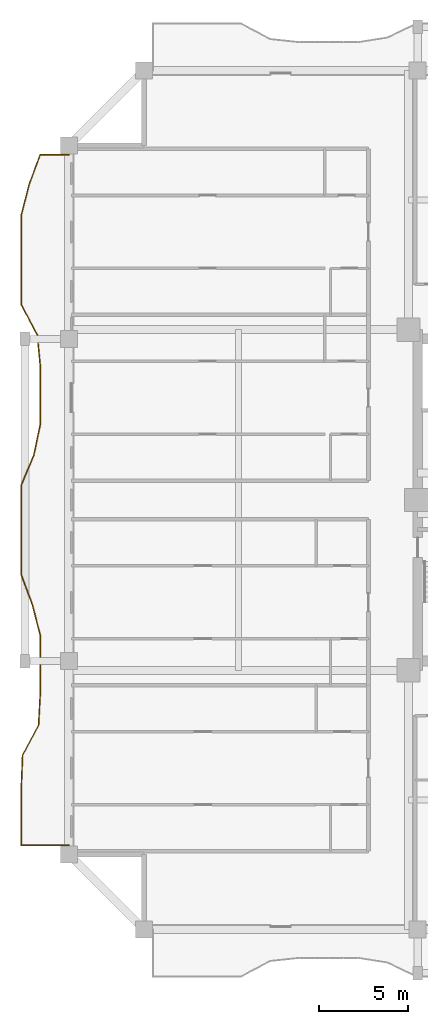
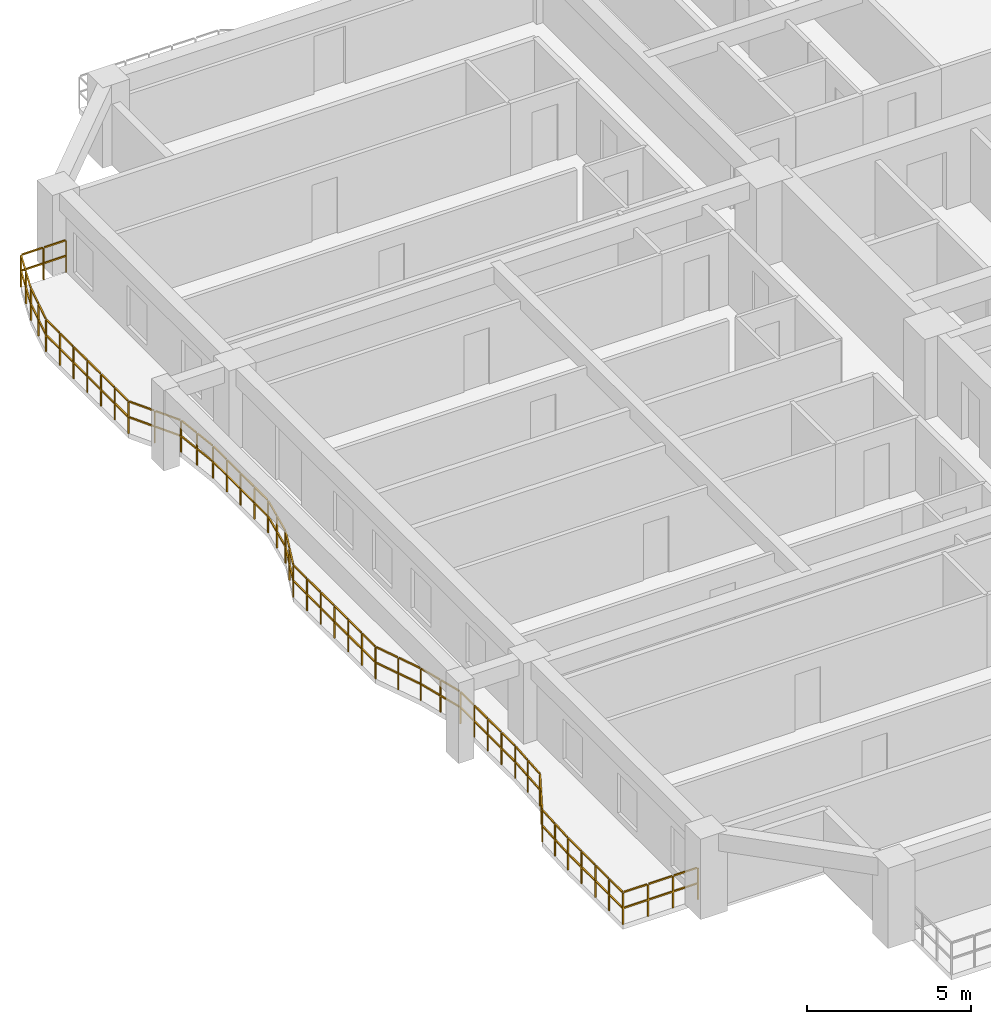
# One storey, part 8 of 11: 1 railing.
"""IFC4 building model written with IfcOpenShell, lengths in metres."""

from ifc_helpers import new_model, si_unit, direction, frame, origin, origin_2d, place, context, subcontext, project, spatial, rectangle, extrude, material, type_object, element, save


model = new_model("IFC4")

# Units and contexts
model_context = context("Model", 3, precision=1e-05, world=origin(), true_north=direction((0.0, 1.0)))
body_context = subcontext(model_context, "Body", "Model", "MODEL_VIEW")
ifc_project = project(units=[si_unit("LENGTHUNIT", "METRE"), si_unit("AREAUNIT", "SQUARE_METRE"), si_unit("VOLUMEUNIT", "CUBIC_METRE"), si_unit("PLANEANGLEUNIT", "RADIAN"), si_unit("MASSUNIT", "GRAM", prefix="KILO")], contexts=[model_context])

# Site, building, storey
site_placement = place(None, origin())
site = spatial("IfcSite", under=ifc_project, at=site_placement, CompositionType="ELEMENT")
building_placement = place(site_placement, origin())
building = spatial("IfcBuilding", under=site, at=building_placement, Name="Saelheon Loggia Tower", CompositionType="ELEMENT")
storey_placement = place(building_placement, frame((0.0, 0.0, 141.75)))
storey = spatial("IfcBuildingStorey", under=building, at=storey_placement, Name="L45", CompositionType="ELEMENT", Elevation=141.75)

# Railing
ifc_material = material(Name="Architectural Precast Concrete and Laminated Glass Guard", Category="concrete")
railing_type = type_object("IfcRailingType", Name="Guard_Loggia_RL_LOG", PredefinedType="BALUSTRADE", material=ifc_material)
railing_placement = place(storey_placement, frame((12.0, 46.300048828125, 0.0)))
element("IfcRailing", 1, at=railing_placement, inside=storey, type_object=railing_type, Name="L45 West Loggia Balustrade", PredefinedType="BALUSTRADE", context=body_context, shape_type="SweptSolid", body=[
    extrude(rectangle(XDim=0.048095703125, YDim=0.048095703125, at=origin_2d()), frame((-0.033203125, 0.0, 1.19580078125), z_axis=(-1.0, 0.0, 0.0), x_axis=(0.0, -1.0, 0.0)), (0.0, 0.0, 1.0), 0.733642578125),
    extrude(rectangle(XDim=0.048095703125, YDim=0.048095703125, at=origin_2d()), frame((-0.033203125, 0.0, 0.60986328125), z_axis=(-1.0, 0.0, 0.0), x_axis=(0.0, -1.0, 0.0)), (0.0, 0.0, 1.0), 0.733642578125),
    extrude(rectangle(XDim=0.048095703125, YDim=0.048095703125, at=origin_2d()), frame((-0.833251953125, 0.0, 1.19580078125), z_axis=(-1.0, 0.0, 0.0), x_axis=(0.0, -1.0, 0.0)), (0.0, 0.0, 1.0), 0.733642578125),
    extrude(rectangle(XDim=0.048095703125, YDim=0.048095703125, at=origin_2d()), frame((-0.833251953125, 0.0, 0.60986328125), z_axis=(-1.0, 0.0, 0.0), x_axis=(0.0, -1.0, 0.0)), (0.0, 0.0, 1.0), 0.733642578125),
    extrude(rectangle(XDim=0.048095703125, YDim=0.048095703125, at=origin_2d()), frame((-1.611572265625, -0.03125, 1.19580078125), z_axis=(-0.346318659518, -0.938116936245, 0.0), x_axis=(0.938116936245, -0.346318659518, 0.0)), (0.0, 0.0, 1.0), 0.828125),
    extrude(rectangle(XDim=0.048095703125, YDim=0.048095703125, at=origin_2d()), frame((-1.611572265625, -0.03125, 0.60986328125), z_axis=(-0.346318659518, -0.938116936245, 0.0), x_axis=(0.938116936245, -0.346318659518, 0.0)), (0.0, 0.0, 1.0), 0.828125),
    extrude(rectangle(XDim=0.048095703125, YDim=0.048095703125, at=origin_2d()), frame((-1.92138671875, -0.870361328125, 1.19580078125), z_axis=(-0.346318659518, -0.938116936245, 0.0), x_axis=(0.938116936245, -0.346318659518, 0.0)), (0.0, 0.0, 1.0), 0.828125),
    extrude(rectangle(XDim=0.048095703125, YDim=0.048095703125, at=origin_2d()), frame((-1.92138671875, -0.870361328125, 0.60986328125), z_axis=(-0.346318659518, -0.938116936245, 0.0), x_axis=(0.938116936245, -0.346318659518, 0.0)), (0.0, 0.0, 1.0), 0.828125),
    extrude(rectangle(XDim=0.048095703125, YDim=0.048095703125, at=origin_2d()), frame((-2.22802734375, -1.710693359375, 1.19580078125), z_axis=(-0.248334659432, -0.968674298681, 0.0), x_axis=(0.968674298681, -0.248334659432, 0.0)), (0.0, 0.0, 1.0), 0.799560546875),
    extrude(rectangle(XDim=0.048095703125, YDim=0.048095703125, at=origin_2d()), frame((-2.22802734375, -1.710693359375, 0.60986328125), z_axis=(-0.248334659432, -0.968674298681, 0.0), x_axis=(0.968674298681, -0.248334659432, 0.0)), (0.0, 0.0, 1.0), 0.799560546875),
    extrude(rectangle(XDim=0.048095703125, YDim=0.048095703125, at=origin_2d()), frame((-2.443115234375, -2.549560546875, 1.19580078125), z_axis=(-0.248334659432, -0.968674298681, 0.0), x_axis=(0.968674298681, -0.248334659432, 0.0)), (0.0, 0.0, 1.0), 0.799560546875),
    extrude(rectangle(XDim=0.048095703125, YDim=0.048095703125, at=origin_2d()), frame((-2.443115234375, -2.549560546875, 0.60986328125), z_axis=(-0.248334659432, -0.968674298681, 0.0), x_axis=(0.968674298681, -0.248334659432, 0.0)), (0.0, 0.0, 1.0), 0.799560546875),
    extrude(rectangle(XDim=0.048095703125, YDim=0.048095703125, at=origin_2d()), frame((-2.64990234375, -3.3896484375, 1.19580078125), z_axis=(0.0, -1.0, 0.0), x_axis=(1.0, 0.0, 0.0)), (0.0, 0.0, 1.0), 0.772705078125),
    extrude(rectangle(XDim=0.048095703125, YDim=0.048095703125, at=origin_2d()), frame((-2.64990234375, -3.3896484375, 0.60986328125), z_axis=(0.0, -1.0, 0.0), x_axis=(1.0, 0.0, 0.0)), (0.0, 0.0, 1.0), 0.772705078125),
    extrude(rectangle(XDim=0.048095703125, YDim=0.048095703125, at=origin_2d()), frame((-2.64990234375, -4.22900390625, 1.19580078125), z_axis=(0.0, -1.0, 0.0), x_axis=(1.0, 0.0, 0.0)), (0.0, 0.0, 1.0), 0.772705078125),
    extrude(rectangle(XDim=0.048095703125, YDim=0.048095703125, at=origin_2d()), frame((-2.64990234375, -4.22900390625, 0.60986328125), z_axis=(0.0, -1.0, 0.0), x_axis=(1.0, 0.0, 0.0)), (0.0, 0.0, 1.0), 0.772705078125),
    extrude(rectangle(XDim=0.048095703125, YDim=0.048095703125, at=origin_2d()), frame((-2.64990234375, -5.068115234375, 1.19580078125), z_axis=(0.0, -1.0, 0.0), x_axis=(1.0, 0.0, 0.0)), (0.0, 0.0, 1.0), 0.772705078125),
    extrude(rectangle(XDim=0.048095703125, YDim=0.048095703125, at=origin_2d()), frame((-2.64990234375, -5.068115234375, 0.60986328125), z_axis=(0.0, -1.0, 0.0), x_axis=(1.0, 0.0, 0.0)), (0.0, 0.0, 1.0), 0.772705078125),
    extrude(rectangle(XDim=0.048095703125, YDim=0.048095703125, at=origin_2d()), frame((-2.64990234375, -5.9072265625, 1.19580078125), z_axis=(0.0, -1.0, 0.0), x_axis=(1.0, 0.0, 0.0)), (0.0, 0.0, 1.0), 0.772705078125),
    extrude(rectangle(XDim=0.048095703125, YDim=0.048095703125, at=origin_2d()), frame((-2.64990234375, -5.9072265625, 0.60986328125), z_axis=(0.0, -1.0, 0.0), x_axis=(1.0, 0.0, 0.0)), (0.0, 0.0, 1.0), 0.772705078125),
    extrude(rectangle(XDim=0.048095703125, YDim=0.048095703125, at=origin_2d()), frame((-2.64990234375, -6.746337890625, 1.19580078125), z_axis=(0.0, -1.0, 0.0), x_axis=(1.0, 0.0, 0.0)), (0.0, 0.0, 1.0), 0.772705078125),
    extrude(rectangle(XDim=0.048095703125, YDim=0.048095703125, at=origin_2d()), frame((-2.64990234375, -6.746337890625, 0.60986328125), z_axis=(0.0, -1.0, 0.0), x_axis=(1.0, 0.0, 0.0)), (0.0, 0.0, 1.0), 0.772705078125),
    extrude(rectangle(XDim=0.048095703125, YDim=0.048095703125, at=origin_2d()), frame((-2.64990234375, -7.58544921875, 1.19580078125), z_axis=(0.0, -1.0, 0.0), x_axis=(1.0, 0.0, 0.0)), (0.0, 0.0, 1.0), 0.772705078125),
    extrude(rectangle(XDim=0.048095703125, YDim=0.048095703125, at=origin_2d()), frame((-2.64990234375, -7.58544921875, 0.60986328125), z_axis=(0.0, -1.0, 0.0), x_axis=(1.0, 0.0, 0.0)), (0.0, 0.0, 1.0), 0.772705078125),
    extrude(rectangle(XDim=0.048095703125, YDim=0.048095703125, at=origin_2d()), frame((-2.63427734375, -8.420654296875, 1.19580078125), z_axis=(0.466764209915, -0.884381802358, 0.0), x_axis=(0.884381802358, 0.466764209915, 0.0)), (0.0, 0.0, 1.0), 0.88232421875),
    extrude(rectangle(XDim=0.048095703125, YDim=0.048095703125, at=origin_2d()), frame((-2.63427734375, -8.420654296875, 0.60986328125), z_axis=(0.466764209915, -0.884381802358, 0.0), x_axis=(0.884381802358, 0.466764209915, 0.0)), (0.0, 0.0, 1.0), 0.88232421875),
    extrude(rectangle(XDim=0.048095703125, YDim=0.048095703125, at=origin_2d()), frame((-2.19140625, -9.259765625, 1.19580078125), z_axis=(0.466764209915, -0.884381802358, 0.0), x_axis=(0.884381802358, 0.466764209915, 0.0)), (0.0, 0.0, 1.0), 0.88232421875),
    extrude(rectangle(XDim=0.048095703125, YDim=0.048095703125, at=origin_2d()), frame((-2.19140625, -9.259765625, 0.60986328125), z_axis=(0.466764209915, -0.884381802358, 0.0), x_axis=(0.884381802358, 0.466764209915, 0.0)), (0.0, 0.0, 1.0), 0.88232421875),
    extrude(rectangle(XDim=0.048095703125, YDim=0.048095703125, at=origin_2d()), frame((-1.760986328125, -10.1025390625, 1.19580078125), z_axis=(0.097295853683, -0.995255503304, 0.0), x_axis=(0.995255503304, 0.097295853683, 0.0)), (0.0, 0.0, 1.0), 0.776611328125),
    extrude(rectangle(XDim=0.048095703125, YDim=0.048095703125, at=origin_2d()), frame((-1.760986328125, -10.1025390625, 0.60986328125), z_axis=(0.097295853683, -0.995255503304, 0.0), x_axis=(0.995255503304, 0.097295853683, 0.0)), (0.0, 0.0, 1.0), 0.776611328125),
    extrude(rectangle(XDim=0.048095703125, YDim=0.048095703125, at=origin_2d()), frame((-1.678955078125, -10.941650390625, 1.19580078125), z_axis=(0.097295853683, -0.995255503304, 0.0), x_axis=(0.995255503304, 0.097295853683, 0.0)), (0.0, 0.0, 1.0), 0.776611328125),
    extrude(rectangle(XDim=0.048095703125, YDim=0.048095703125, at=origin_2d()), frame((-1.678955078125, -10.941650390625, 0.60986328125), z_axis=(0.097295853683, -0.995255503304, 0.0), x_axis=(0.995255503304, 0.097295853683, 0.0)), (0.0, 0.0, 1.0), 0.776611328125),
    extrude(rectangle(XDim=0.048095703125, YDim=0.048095703125, at=origin_2d()), frame((-1.60009765625, -11.781005859375, 1.19580078125), z_axis=(0.0, -1.0, 0.0), x_axis=(1.0, 0.0, 0.0)), (0.0, 0.0, 1.0), 0.772705078125),
    extrude(rectangle(XDim=0.048095703125, YDim=0.048095703125, at=origin_2d()), frame((-1.60009765625, -11.781005859375, 0.60986328125), z_axis=(0.0, -1.0, 0.0), x_axis=(1.0, 0.0, 0.0)), (0.0, 0.0, 1.0), 0.772705078125),
    extrude(rectangle(XDim=0.048095703125, YDim=0.048095703125, at=origin_2d()), frame((-1.60009765625, -12.620361328125, 1.19580078125), z_axis=(0.0, -1.0, 0.0), x_axis=(1.0, 0.0, 0.0)), (0.0, 0.0, 1.0), 0.772705078125),
    extrude(rectangle(XDim=0.048095703125, YDim=0.048095703125, at=origin_2d()), frame((-1.60009765625, -12.620361328125, 0.60986328125), z_axis=(0.0, -1.0, 0.0), x_axis=(1.0, 0.0, 0.0)), (0.0, 0.0, 1.0), 0.772705078125),
    extrude(rectangle(XDim=0.048095703125, YDim=0.048095703125, at=origin_2d()), frame((-1.60009765625, -13.45947265625, 1.19580078125), z_axis=(0.0, -1.0, 0.0), x_axis=(1.0, 0.0, 0.0)), (0.0, 0.0, 1.0), 0.7724609375),
    extrude(rectangle(XDim=0.048095703125, YDim=0.048095703125, at=origin_2d()), frame((-1.60009765625, -13.45947265625, 0.60986328125), z_axis=(0.0, -1.0, 0.0), x_axis=(1.0, 0.0, 0.0)), (0.0, 0.0, 1.0), 0.7724609375),
    extrude(rectangle(XDim=0.048095703125, YDim=0.048095703125, at=origin_2d()), frame((-1.60009765625, -14.298583984375, 1.19580078125), z_axis=(0.0, -1.0, 0.0), x_axis=(1.0, 0.0, 0.0)), (0.0, 0.0, 1.0), 0.7724609375),
    extrude(rectangle(XDim=0.048095703125, YDim=0.048095703125, at=origin_2d()), frame((-1.60009765625, -14.298583984375, 0.60986328125), z_axis=(0.0, -1.0, 0.0), x_axis=(1.0, 0.0, 0.0)), (0.0, 0.0, 1.0), 0.7724609375),
    extrude(rectangle(XDim=0.048095703125, YDim=0.048095703125, at=origin_2d()), frame((-1.60693359375, -15.13671875, 1.19580078125), z_axis=(-0.204596686386, -0.978846359711, 0.0), x_axis=(0.978846359711, -0.204596686386, 0.0)), (0.0, 0.0, 1.0), 0.791015625),
    extrude(rectangle(XDim=0.048095703125, YDim=0.048095703125, at=origin_2d()), frame((-1.60693359375, -15.13671875, 0.60986328125), z_axis=(-0.204596686386, -0.978846359711, 0.0), x_axis=(0.978846359711, -0.204596686386, 0.0)), (0.0, 0.0, 1.0), 0.791015625),
    extrude(rectangle(XDim=0.048095703125, YDim=0.048095703125, at=origin_2d()), frame((-1.7822265625, -15.97607421875, 1.19580078125), z_axis=(-0.204596686386, -0.978846359711, 0.0), x_axis=(0.978846359711, -0.204596686386, 0.0)), (0.0, 0.0, 1.0), 0.791015625),
    extrude(rectangle(XDim=0.048095703125, YDim=0.048095703125, at=origin_2d()), frame((-1.7822265625, -15.97607421875, 0.60986328125), z_axis=(-0.204596686386, -0.978846359711, 0.0), x_axis=(0.978846359711, -0.204596686386, 0.0)), (0.0, 0.0, 1.0), 0.791015625),
    extrude(rectangle(XDim=0.048095703125, YDim=0.048095703125, at=origin_2d()), frame((-1.963623046875, -16.8134765625, 1.19580078125), z_axis=(-0.384481881871, -0.923132537891, 0.0), x_axis=(0.923132537891, -0.384481881871, 0.0)), (0.0, 0.0, 1.0), 0.842529296875),
    extrude(rectangle(XDim=0.048095703125, YDim=0.048095703125, at=origin_2d()), frame((-1.963623046875, -16.8134765625, 0.60986328125), z_axis=(-0.384481881871, -0.923132537891, 0.0), x_axis=(0.923132537891, -0.384481881871, 0.0)), (0.0, 0.0, 1.0), 0.842529296875),
    extrude(rectangle(XDim=0.048095703125, YDim=0.048095703125, at=origin_2d()), frame((-2.313232421875, -17.652587890625, 1.19580078125), z_axis=(-0.384481881871, -0.923132537891, 0.0), x_axis=(0.923132537891, -0.384481881871, 0.0)), (0.0, 0.0, 1.0), 0.842529296875),
    extrude(rectangle(XDim=0.048095703125, YDim=0.048095703125, at=origin_2d()), frame((-2.313232421875, -17.652587890625, 0.60986328125), z_axis=(-0.384481881871, -0.923132537891, 0.0), x_axis=(0.923132537891, -0.384481881871, 0.0)), (0.0, 0.0, 1.0), 0.842529296875),
    extrude(rectangle(XDim=0.048095703125, YDim=0.048095703125, at=origin_2d()), frame((-2.64990234375, -18.494140625, 1.19580078125), z_axis=(0.0, -1.0, 0.0), x_axis=(1.0, 0.0, 0.0)), (0.0, 0.0, 1.0), 0.772705078125),
    extrude(rectangle(XDim=0.048095703125, YDim=0.048095703125, at=origin_2d()), frame((-2.64990234375, -18.494140625, 0.60986328125), z_axis=(0.0, -1.0, 0.0), x_axis=(1.0, 0.0, 0.0)), (0.0, 0.0, 1.0), 0.772705078125),
    extrude(rectangle(XDim=0.048095703125, YDim=0.048095703125, at=origin_2d()), frame((-2.64990234375, -19.333251953125, 1.19580078125), z_axis=(0.0, -1.0, 0.0), x_axis=(1.0, 0.0, 0.0)), (0.0, 0.0, 1.0), 0.772705078125),
    extrude(rectangle(XDim=0.048095703125, YDim=0.048095703125, at=origin_2d()), frame((-2.64990234375, -19.333251953125, 0.60986328125), z_axis=(0.0, -1.0, 0.0), x_axis=(1.0, 0.0, 0.0)), (0.0, 0.0, 1.0), 0.772705078125),
    extrude(rectangle(XDim=0.048095703125, YDim=0.048095703125, at=origin_2d()), frame((-2.64990234375, -20.17236328125, 1.19580078125), z_axis=(0.0, -1.0, 0.0), x_axis=(1.0, 0.0, 0.0)), (0.0, 0.0, 1.0), 0.772705078125),
    extrude(rectangle(XDim=0.048095703125, YDim=0.048095703125, at=origin_2d()), frame((-2.64990234375, -20.17236328125, 0.60986328125), z_axis=(0.0, -1.0, 0.0), x_axis=(1.0, 0.0, 0.0)), (0.0, 0.0, 1.0), 0.772705078125),
    extrude(rectangle(XDim=0.048095703125, YDim=0.048095703125, at=origin_2d()), frame((-2.64990234375, -21.011474609375, 1.19580078125), z_axis=(0.0, -1.0, 0.0), x_axis=(1.0, 0.0, 0.0)), (0.0, 0.0, 1.0), 0.772705078125),
    extrude(rectangle(XDim=0.048095703125, YDim=0.048095703125, at=origin_2d()), frame((-2.64990234375, -21.011474609375, 0.60986328125), z_axis=(0.0, -1.0, 0.0), x_axis=(1.0, 0.0, 0.0)), (0.0, 0.0, 1.0), 0.772705078125),
    extrude(rectangle(XDim=0.048095703125, YDim=0.048095703125, at=origin_2d()), frame((-2.64990234375, -21.8505859375, 1.19580078125), z_axis=(0.0, -1.0, 0.0), x_axis=(1.0, 0.0, 0.0)), (0.0, 0.0, 1.0), 0.772705078125),
    extrude(rectangle(XDim=0.048095703125, YDim=0.048095703125, at=origin_2d()), frame((-2.64990234375, -21.8505859375, 0.60986328125), z_axis=(0.0, -1.0, 0.0), x_axis=(1.0, 0.0, 0.0)), (0.0, 0.0, 1.0), 0.772705078125),
    extrude(rectangle(XDim=0.048095703125, YDim=0.048095703125, at=origin_2d()), frame((-2.64990234375, -22.68994140625, 1.19580078125), z_axis=(0.0, -1.0, 0.0), x_axis=(1.0, 0.0, 0.0)), (0.0, 0.0, 1.0), 0.772705078125),
    extrude(rectangle(XDim=0.048095703125, YDim=0.048095703125, at=origin_2d()), frame((-2.64990234375, -22.68994140625, 0.60986328125), z_axis=(0.0, -1.0, 0.0), x_axis=(1.0, 0.0, 0.0)), (0.0, 0.0, 1.0), 0.772705078125),
    extrude(rectangle(XDim=0.048095703125, YDim=0.048095703125, at=origin_2d()), frame((-2.638427734375, -23.527099609375, 1.19580078125), z_axis=(0.347367679111, -0.937729009634, 0.0), x_axis=(0.937729009634, 0.347367679111, 0.0)), (0.0, 0.0, 1.0), 0.828125),
    extrude(rectangle(XDim=0.048095703125, YDim=0.048095703125, at=origin_2d()), frame((-2.638427734375, -23.527099609375, 0.60986328125), z_axis=(0.347367679111, -0.937729009634, 0.0), x_axis=(0.937729009634, 0.347367679111, 0.0)), (0.0, 0.0, 1.0), 0.828125),
    extrude(rectangle(XDim=0.048095703125, YDim=0.048095703125, at=origin_2d()), frame((-2.32763671875, -24.365966796875, 1.19580078125), z_axis=(0.347367679111, -0.937729009634, 0.0), x_axis=(0.937729009634, 0.347367679111, 0.0)), (0.0, 0.0, 1.0), 0.828125),
    extrude(rectangle(XDim=0.048095703125, YDim=0.048095703125, at=origin_2d()), frame((-2.32763671875, -24.365966796875, 0.60986328125), z_axis=(0.347367679111, -0.937729009634, 0.0), x_axis=(0.937729009634, 0.347367679111, 0.0)), (0.0, 0.0, 1.0), 0.828125),
    extrude(rectangle(XDim=0.048095703125, YDim=0.048095703125, at=origin_2d()), frame((-2.02001953125, -25.2060546875, 1.19580078125), z_axis=(0.247208698516, -0.968962259006, 0.0), x_axis=(0.968962259006, 0.247208698516, 0.0)), (0.0, 0.0, 1.0), 0.799560546875),
    extrude(rectangle(XDim=0.048095703125, YDim=0.048095703125, at=origin_2d()), frame((-2.02001953125, -25.2060546875, 0.60986328125), z_axis=(0.247208698516, -0.968962259006, 0.0), x_axis=(0.968962259006, 0.247208698516, 0.0)), (0.0, 0.0, 1.0), 0.799560546875),
    extrude(rectangle(XDim=0.048095703125, YDim=0.048095703125, at=origin_2d()), frame((-1.805908203125, -26.045166015625, 1.19580078125), z_axis=(0.247208698516, -0.968962259006, 0.0), x_axis=(0.968962259006, 0.247208698516, 0.0)), (0.0, 0.0, 1.0), 0.799560546875),
    extrude(rectangle(XDim=0.048095703125, YDim=0.048095703125, at=origin_2d()), frame((-1.805908203125, -26.045166015625, 0.60986328125), z_axis=(0.247208698516, -0.968962259006, 0.0), x_axis=(0.968962259006, 0.247208698516, 0.0)), (0.0, 0.0, 1.0), 0.799560546875),
    extrude(rectangle(XDim=0.048095703125, YDim=0.048095703125, at=origin_2d()), frame((-1.60009765625, -26.885498046875, 1.19580078125), z_axis=(0.0, -1.0, 0.0), x_axis=(1.0, 0.0, 0.0)), (0.0, 0.0, 1.0), 0.772705078125),
    extrude(rectangle(XDim=0.048095703125, YDim=0.048095703125, at=origin_2d()), frame((-1.60009765625, -26.885498046875, 0.60986328125), z_axis=(0.0, -1.0, 0.0), x_axis=(1.0, 0.0, 0.0)), (0.0, 0.0, 1.0), 0.772705078125),
    extrude(rectangle(XDim=0.048095703125, YDim=0.048095703125, at=origin_2d()), frame((-1.60009765625, -27.724609375, 1.19580078125), z_axis=(0.0, -1.0, 0.0), x_axis=(1.0, 0.0, 0.0)), (0.0, 0.0, 1.0), 0.772705078125),
    extrude(rectangle(XDim=0.048095703125, YDim=0.048095703125, at=origin_2d()), frame((-1.60009765625, -27.724609375, 0.60986328125), z_axis=(0.0, -1.0, 0.0), x_axis=(1.0, 0.0, 0.0)), (0.0, 0.0, 1.0), 0.772705078125),
    extrude(rectangle(XDim=0.048095703125, YDim=0.048095703125, at=origin_2d()), frame((-1.60009765625, -28.563720703125, 1.19580078125), z_axis=(0.0, -1.0, 0.0), x_axis=(1.0, 0.0, 0.0)), (0.0, 0.0, 1.0), 0.772705078125),
    extrude(rectangle(XDim=0.048095703125, YDim=0.048095703125, at=origin_2d()), frame((-1.60009765625, -28.563720703125, 0.60986328125), z_axis=(0.0, -1.0, 0.0), x_axis=(1.0, 0.0, 0.0)), (0.0, 0.0, 1.0), 0.772705078125),
    extrude(rectangle(XDim=0.048095703125, YDim=0.048095703125, at=origin_2d()), frame((-1.60009765625, -29.40283203125, 1.19580078125), z_axis=(0.0, -1.0, 0.0), x_axis=(1.0, 0.0, 0.0)), (0.0, 0.0, 1.0), 0.772705078125),
    extrude(rectangle(XDim=0.048095703125, YDim=0.048095703125, at=origin_2d()), frame((-1.60009765625, -29.40283203125, 0.60986328125), z_axis=(0.0, -1.0, 0.0), x_axis=(1.0, 0.0, 0.0)), (0.0, 0.0, 1.0), 0.772705078125),
    extrude(rectangle(XDim=0.048095703125, YDim=0.048095703125, at=origin_2d()), frame((-1.601806640625, -30.241943359375, 1.19580078125), z_axis=(-0.053603359192, -0.99856230646, 0.0), x_axis=(0.99856230646, -0.053603359192, 0.0)), (0.0, 0.0, 1.0), 0.77392578125),
    extrude(rectangle(XDim=0.048095703125, YDim=0.048095703125, at=origin_2d()), frame((-1.601806640625, -30.241943359375, 0.60986328125), z_axis=(-0.053603359192, -0.99856230646, 0.0), x_axis=(0.99856230646, -0.053603359192, 0.0)), (0.0, 0.0, 1.0), 0.77392578125),
    extrude(rectangle(XDim=0.048095703125, YDim=0.048095703125, at=origin_2d()), frame((-1.64697265625, -31.0810546875, 1.19580078125), z_axis=(-0.053603359192, -0.99856230646, 0.0), x_axis=(0.99856230646, -0.053603359192, 0.0)), (0.0, 0.0, 1.0), 0.77392578125),
    extrude(rectangle(XDim=0.048095703125, YDim=0.048095703125, at=origin_2d()), frame((-1.64697265625, -31.0810546875, 0.60986328125), z_axis=(-0.053603359192, -0.99856230646, 0.0), x_axis=(0.99856230646, -0.053603359192, 0.0)), (0.0, 0.0, 1.0), 0.77392578125),
    extrude(rectangle(XDim=0.048095703125, YDim=0.048095703125, at=origin_2d()), frame((-1.705810546875, -31.916259765625, 1.19580078125), z_axis=(-0.470574910471, -0.88236004762, 0.0), x_axis=(0.88236004762, -0.470574910471, 0.0)), (0.0, 0.0, 1.0), 0.884521484375),
    extrude(rectangle(XDim=0.048095703125, YDim=0.048095703125, at=origin_2d()), frame((-1.705810546875, -31.916259765625, 0.60986328125), z_axis=(-0.470574910471, -0.88236004762, 0.0), x_axis=(0.88236004762, -0.470574910471, 0.0)), (0.0, 0.0, 1.0), 0.884521484375),
    extrude(rectangle(XDim=0.048095703125, YDim=0.048095703125, at=origin_2d()), frame((-2.1533203125, -32.75537109375, 1.19580078125), z_axis=(-0.470574910471, -0.88236004762, 0.0), x_axis=(0.88236004762, -0.470574910471, 0.0)), (0.0, 0.0, 1.0), 0.884521484375),
    extrude(rectangle(XDim=0.048095703125, YDim=0.048095703125, at=origin_2d()), frame((-2.1533203125, -32.75537109375, 0.60986328125), z_axis=(-0.470574910471, -0.88236004762, 0.0), x_axis=(0.88236004762, -0.470574910471, 0.0)), (0.0, 0.0, 1.0), 0.884521484375),
    extrude(rectangle(XDim=0.048095703125, YDim=0.048095703125, at=origin_2d()), frame((-2.58642578125, -33.598388671875, 1.19580078125), z_axis=(-0.038516851919, -0.999257950741, 0.0), x_axis=(0.999257950741, -0.038516851919, 0.0)), (0.0, 0.0, 1.0), 0.7734375),
    extrude(rectangle(XDim=0.048095703125, YDim=0.048095703125, at=origin_2d()), frame((-2.58642578125, -33.598388671875, 0.60986328125), z_axis=(-0.038516851919, -0.999257950741, 0.0), x_axis=(0.999257950741, -0.038516851919, 0.0)), (0.0, 0.0, 1.0), 0.7734375),
    extrude(rectangle(XDim=0.048095703125, YDim=0.048095703125, at=origin_2d()), frame((-2.618896484375, -34.437744140625, 1.19580078125), z_axis=(-0.038516851919, -0.999257950741, 0.0), x_axis=(0.999257950741, -0.038516851919, 0.0)), (0.0, 0.0, 1.0), 0.7734375),
    extrude(rectangle(XDim=0.048095703125, YDim=0.048095703125, at=origin_2d()), frame((-2.618896484375, -34.437744140625, 0.60986328125), z_axis=(-0.038516851919, -0.999257950741, 0.0), x_axis=(0.999257950741, -0.038516851919, 0.0)), (0.0, 0.0, 1.0), 0.7734375),
    extrude(rectangle(XDim=0.048095703125, YDim=0.048095703125, at=origin_2d()), frame((-2.64990234375, -35.27685546875, 1.19580078125), z_axis=(0.0, -1.0, 0.0), x_axis=(1.0, 0.0, 0.0)), (0.0, 0.0, 1.0), 0.7724609375),
    extrude(rectangle(XDim=0.048095703125, YDim=0.048095703125, at=origin_2d()), frame((-2.64990234375, -35.27685546875, 0.60986328125), z_axis=(0.0, -1.0, 0.0), x_axis=(1.0, 0.0, 0.0)), (0.0, 0.0, 1.0), 0.7724609375),
    extrude(rectangle(XDim=0.048095703125, YDim=0.048095703125, at=origin_2d()), frame((-2.64990234375, -36.115966796875, 1.19580078125), z_axis=(0.0, -1.0, 0.0), x_axis=(1.0, 0.0, 0.0)), (0.0, 0.0, 1.0), 0.7724609375),
    extrude(rectangle(XDim=0.048095703125, YDim=0.048095703125, at=origin_2d()), frame((-2.64990234375, -36.115966796875, 0.60986328125), z_axis=(0.0, -1.0, 0.0), x_axis=(1.0, 0.0, 0.0)), (0.0, 0.0, 1.0), 0.7724609375),
    extrude(rectangle(XDim=0.048095703125, YDim=0.048095703125, at=origin_2d()), frame((-2.64990234375, -36.954833984375, 1.19580078125), z_axis=(0.0, -1.0, 0.0), x_axis=(1.0, 0.0, 0.0)), (0.0, 0.0, 1.0), 0.772705078125),
    extrude(rectangle(XDim=0.048095703125, YDim=0.048095703125, at=origin_2d()), frame((-2.64990234375, -36.954833984375, 0.60986328125), z_axis=(0.0, -1.0, 0.0), x_axis=(1.0, 0.0, 0.0)), (0.0, 0.0, 1.0), 0.772705078125),
    extrude(rectangle(XDim=0.048095703125, YDim=0.048095703125, at=origin_2d()), frame((-2.64990234375, -37.794189453125, 1.19580078125), z_axis=(0.0, -1.0, 0.0), x_axis=(1.0, 0.0, 0.0)), (0.0, 0.0, 1.0), 0.772705078125),
    extrude(rectangle(XDim=0.048095703125, YDim=0.048095703125, at=origin_2d()), frame((-2.64990234375, -37.794189453125, 0.60986328125), z_axis=(0.0, -1.0, 0.0), x_axis=(1.0, 0.0, 0.0)), (0.0, 0.0, 1.0), 0.772705078125),
    extrude(rectangle(XDim=0.048095703125, YDim=0.048095703125, at=origin_2d()), frame((-2.61669921875, -38.60009765625, 1.19580078125), z_axis=(1.0, 0.0, 0.0), x_axis=(0.0, 1.0, 0.0)), (0.0, 0.0, 1.0), 0.81689453125),
    extrude(rectangle(XDim=0.048095703125, YDim=0.048095703125, at=origin_2d()), frame((-2.61669921875, -38.60009765625, 0.60986328125), z_axis=(1.0, 0.0, 0.0), x_axis=(0.0, 1.0, 0.0)), (0.0, 0.0, 1.0), 0.81689453125),
    extrude(rectangle(XDim=0.048095703125, YDim=0.048095703125, at=origin_2d()), frame((-1.7333984375, -38.60009765625, 1.19580078125), z_axis=(1.0, 0.0, 0.0), x_axis=(0.0, 1.0, 0.0)), (0.0, 0.0, 1.0), 0.81689453125),
    extrude(rectangle(XDim=0.048095703125, YDim=0.048095703125, at=origin_2d()), frame((-1.7333984375, -38.60009765625, 0.60986328125), z_axis=(1.0, 0.0, 0.0), x_axis=(0.0, 1.0, 0.0)), (0.0, 0.0, 1.0), 0.81689453125),
    extrude(rectangle(XDim=0.048095703125, YDim=0.048095703125, at=origin_2d()), frame((-0.85009765625, -38.60009765625, 1.19580078125), z_axis=(1.0, 0.0, 0.0), x_axis=(0.0, 1.0, 0.0)), (0.0, 0.0, 1.0), 0.81689453125),
    extrude(rectangle(XDim=0.048095703125, YDim=0.048095703125, at=origin_2d()), frame((-0.85009765625, -38.60009765625, 0.60986328125), z_axis=(1.0, 0.0, 0.0), x_axis=(0.0, 1.0, 0.0)), (0.0, 0.0, 1.0), 0.81689453125),
    extrude(rectangle(XDim=0.0419921875, YDim=0.0419921875, at=origin_2d()), origin(), (0.0, 0.0, 1.0), 1.16796875),
    extrude(rectangle(XDim=0.0419921875, YDim=0.0419921875, at=origin_2d()), frame((-0.800048828125, 0.0, 0.0)), (0.0, 0.0, 1.0), 1.16796875),
    extrude(rectangle(XDim=0.0419921875, YDim=0.0419921875, at=origin_2d()), frame((-1.60009765625, 0.0, 0.0)), (0.0, 0.0, 1.0), 1.16796875),
    extrude(rectangle(XDim=0.0419921875, YDim=0.0419921875, at=origin_2d()), frame((-1.909912109375, -0.83935546875, 0.0)), (0.0, 0.0, 1.0), 1.16796875),
    extrude(rectangle(XDim=0.0419921875, YDim=0.0419921875, at=origin_2d()), frame((-2.2197265625, -1.678466796875, 0.0)), (0.0, 0.0, 1.0), 1.16796875),
    extrude(rectangle(XDim=0.0419921875, YDim=0.0419921875, at=origin_2d()), frame((-2.434814453125, -2.517578125, 0.0)), (0.0, 0.0, 1.0), 1.16796875),
    extrude(rectangle(XDim=0.0419921875, YDim=0.0419921875, at=origin_2d()), frame((-2.64990234375, -3.3564453125, 0.0)), (0.0, 0.0, 1.0), 1.16796875),
    extrude(rectangle(XDim=0.0419921875, YDim=0.0419921875, at=origin_2d()), frame((-2.64990234375, -4.19580078125, 0.0)), (0.0, 0.0, 1.0), 1.16796875),
    extrude(rectangle(XDim=0.0419921875, YDim=0.0419921875, at=origin_2d()), frame((-2.64990234375, -5.034912109375, 0.0)), (0.0, 0.0, 1.0), 1.16796875),
    extrude(rectangle(XDim=0.0419921875, YDim=0.0419921875, at=origin_2d()), frame((-2.64990234375, -5.8740234375, 0.0)), (0.0, 0.0, 1.0), 1.16796875),
    extrude(rectangle(XDim=0.0419921875, YDim=0.0419921875, at=origin_2d()), frame((-2.64990234375, -6.713134765625, 0.0)), (0.0, 0.0, 1.0), 1.16796875),
    extrude(rectangle(XDim=0.0419921875, YDim=0.0419921875, at=origin_2d()), frame((-2.64990234375, -7.55224609375, 0.0)), (0.0, 0.0, 1.0), 1.16796875),
    extrude(rectangle(XDim=0.0419921875, YDim=0.0419921875, at=origin_2d()), frame((-2.64990234375, -8.391357421875, 0.0)), (0.0, 0.0, 1.0), 1.16796875),
    extrude(rectangle(XDim=0.0419921875, YDim=0.0419921875, at=origin_2d()), frame((-2.20703125, -9.23046875, 0.0)), (0.0, 0.0, 1.0), 1.16796875),
    extrude(rectangle(XDim=0.0419921875, YDim=0.0419921875, at=origin_2d()), frame((-1.76416015625, -10.069580078125, 0.0)), (0.0, 0.0, 1.0), 1.16796875),
    extrude(rectangle(XDim=0.0419921875, YDim=0.0419921875, at=origin_2d()), frame((-1.68212890625, -10.90869140625, 0.0)), (0.0, 0.0, 1.0), 1.16796875),
    extrude(rectangle(XDim=0.0419921875, YDim=0.0419921875, at=origin_2d()), frame((-1.60009765625, -11.747802734375, 0.0)), (0.0, 0.0, 1.0), 1.16796875),
    extrude(rectangle(XDim=0.0419921875, YDim=0.0419921875, at=origin_2d()), frame((-1.60009765625, -12.5869140625, 0.0)), (0.0, 0.0, 1.0), 1.16796875),
    extrude(rectangle(XDim=0.0419921875, YDim=0.0419921875, at=origin_2d()), frame((-1.60009765625, -13.42626953125, 0.0)), (0.0, 0.0, 1.0), 1.16796875),
    extrude(rectangle(XDim=0.0419921875, YDim=0.0419921875, at=origin_2d()), frame((-1.60009765625, -14.26513671875, 0.0)), (0.0, 0.0, 1.0), 1.16796875),
    extrude(rectangle(XDim=0.0419921875, YDim=0.0419921875, at=origin_2d()), frame((-1.60009765625, -15.104248046875, 0.0)), (0.0, 0.0, 1.0), 1.16796875),
    extrude(rectangle(XDim=0.0419921875, YDim=0.0419921875, at=origin_2d()), frame((-1.775390625, -15.943359375, 0.0)), (0.0, 0.0, 1.0), 1.16796875),
    extrude(rectangle(XDim=0.0419921875, YDim=0.0419921875, at=origin_2d()), frame((-1.950927734375, -16.78271484375, 0.0)), (0.0, 0.0, 1.0), 1.16796875),
    extrude(rectangle(XDim=0.0419921875, YDim=0.0419921875, at=origin_2d()), frame((-2.30029296875, -17.621826171875, 0.0)), (0.0, 0.0, 1.0), 1.16796875),
    extrude(rectangle(XDim=0.0419921875, YDim=0.0419921875, at=origin_2d()), frame((-2.64990234375, -18.4609375, 0.0)), (0.0, 0.0, 1.0), 1.16796875),
    extrude(rectangle(XDim=0.0419921875, YDim=0.0419921875, at=origin_2d()), frame((-2.64990234375, -19.300048828125, 0.0)), (0.0, 0.0, 1.0), 1.16796875),
    extrude(rectangle(XDim=0.0419921875, YDim=0.0419921875, at=origin_2d()), frame((-2.64990234375, -20.13916015625, 0.0)), (0.0, 0.0, 1.0), 1.16796875),
    extrude(rectangle(XDim=0.0419921875, YDim=0.0419921875, at=origin_2d()), frame((-2.64990234375, -20.978271484375, 0.0)), (0.0, 0.0, 1.0), 1.16796875),
    extrude(rectangle(XDim=0.0419921875, YDim=0.0419921875, at=origin_2d()), frame((-2.64990234375, -21.8173828125, 0.0)), (0.0, 0.0, 1.0), 1.16796875),
    extrude(rectangle(XDim=0.0419921875, YDim=0.0419921875, at=origin_2d()), frame((-2.64990234375, -22.65673828125, 0.0)), (0.0, 0.0, 1.0), 1.16796875),
    extrude(rectangle(XDim=0.0419921875, YDim=0.0419921875, at=origin_2d()), frame((-2.64990234375, -23.495849609375, 0.0)), (0.0, 0.0, 1.0), 1.16796875),
    extrude(rectangle(XDim=0.0419921875, YDim=0.0419921875, at=origin_2d()), frame((-2.339111328125, -24.3349609375, 0.0)), (0.0, 0.0, 1.0), 1.16796875),
    extrude(rectangle(XDim=0.0419921875, YDim=0.0419921875, at=origin_2d()), frame((-2.0283203125, -25.173828125, 0.0)), (0.0, 0.0, 1.0), 1.16796875),
    extrude(rectangle(XDim=0.0419921875, YDim=0.0419921875, at=origin_2d()), frame((-1.814208984375, -26.01318359375, 0.0)), (0.0, 0.0, 1.0), 1.16796875),
    extrude(rectangle(XDim=0.0419921875, YDim=0.0419921875, at=origin_2d()), frame((-1.60009765625, -26.852294921875, 0.0)), (0.0, 0.0, 1.0), 1.16796875),
    extrude(rectangle(XDim=0.0419921875, YDim=0.0419921875, at=origin_2d()), frame((-1.60009765625, -27.69140625, 0.0)), (0.0, 0.0, 1.0), 1.16796875),
    extrude(rectangle(XDim=0.0419921875, YDim=0.0419921875, at=origin_2d()), frame((-1.60009765625, -28.530517578125, 0.0)), (0.0, 0.0, 1.0), 1.16796875),
    extrude(rectangle(XDim=0.0419921875, YDim=0.0419921875, at=origin_2d()), frame((-1.60009765625, -29.36962890625, 0.0)), (0.0, 0.0, 1.0), 1.16796875),
    extrude(rectangle(XDim=0.0419921875, YDim=0.0419921875, at=origin_2d()), frame((-1.60009765625, -30.208740234375, 0.0)), (0.0, 0.0, 1.0), 1.16796875),
    extrude(rectangle(XDim=0.0419921875, YDim=0.0419921875, at=origin_2d()), frame((-1.64501953125, -31.0478515625, 0.0)), (0.0, 0.0, 1.0), 1.16796875),
    extrude(rectangle(XDim=0.0419921875, YDim=0.0419921875, at=origin_2d()), frame((-1.690185546875, -31.886962890625, 0.0)), (0.0, 0.0, 1.0), 1.16796875),
    extrude(rectangle(XDim=0.0419921875, YDim=0.0419921875, at=origin_2d()), frame((-2.1376953125, -32.72607421875, 0.0)), (0.0, 0.0, 1.0), 1.16796875),
    extrude(rectangle(XDim=0.0419921875, YDim=0.0419921875, at=origin_2d()), frame((-2.585205078125, -33.565185546875, 0.0)), (0.0, 0.0, 1.0), 1.16796875),
    extrude(rectangle(XDim=0.0419921875, YDim=0.0419921875, at=origin_2d()), frame((-2.61767578125, -34.404296875, 0.0)), (0.0, 0.0, 1.0), 1.16796875),
    extrude(rectangle(XDim=0.0419921875, YDim=0.0419921875, at=origin_2d()), frame((-2.64990234375, -35.24365234375, 0.0)), (0.0, 0.0, 1.0), 1.16796875),
    extrude(rectangle(XDim=0.0419921875, YDim=0.0419921875, at=origin_2d()), frame((-2.64990234375, -36.08251953125, 0.0)), (0.0, 0.0, 1.0), 1.16796875),
    extrude(rectangle(XDim=0.0419921875, YDim=0.0419921875, at=origin_2d()), frame((-2.64990234375, -36.921630859375, 0.0)), (0.0, 0.0, 1.0), 1.16796875),
    extrude(rectangle(XDim=0.0419921875, YDim=0.0419921875, at=origin_2d()), frame((-2.64990234375, -37.7607421875, 0.0)), (0.0, 0.0, 1.0), 1.16796875),
    extrude(rectangle(XDim=0.0419921875, YDim=0.0419921875, at=origin_2d()), frame((-2.64990234375, -38.60009765625, 0.0)), (0.0, 0.0, 1.0), 1.16796875),
    extrude(rectangle(XDim=0.0419921875, YDim=0.0419921875, at=origin_2d()), frame((-1.7666015625, -38.60009765625, 0.0)), (0.0, 0.0, 1.0), 1.16796875),
    extrude(rectangle(XDim=0.0419921875, YDim=0.0419921875, at=origin_2d()), frame((-0.88330078125, -38.60009765625, 0.0)), (0.0, 0.0, 1.0), 1.16796875),
    extrude(rectangle(XDim=0.0419921875, YDim=0.0419921875, at=origin_2d()), frame((0.0, -38.60009765625, 0.0)), (0.0, 0.0, 1.0), 1.16796875),
])

save(model, "model.ifc")
